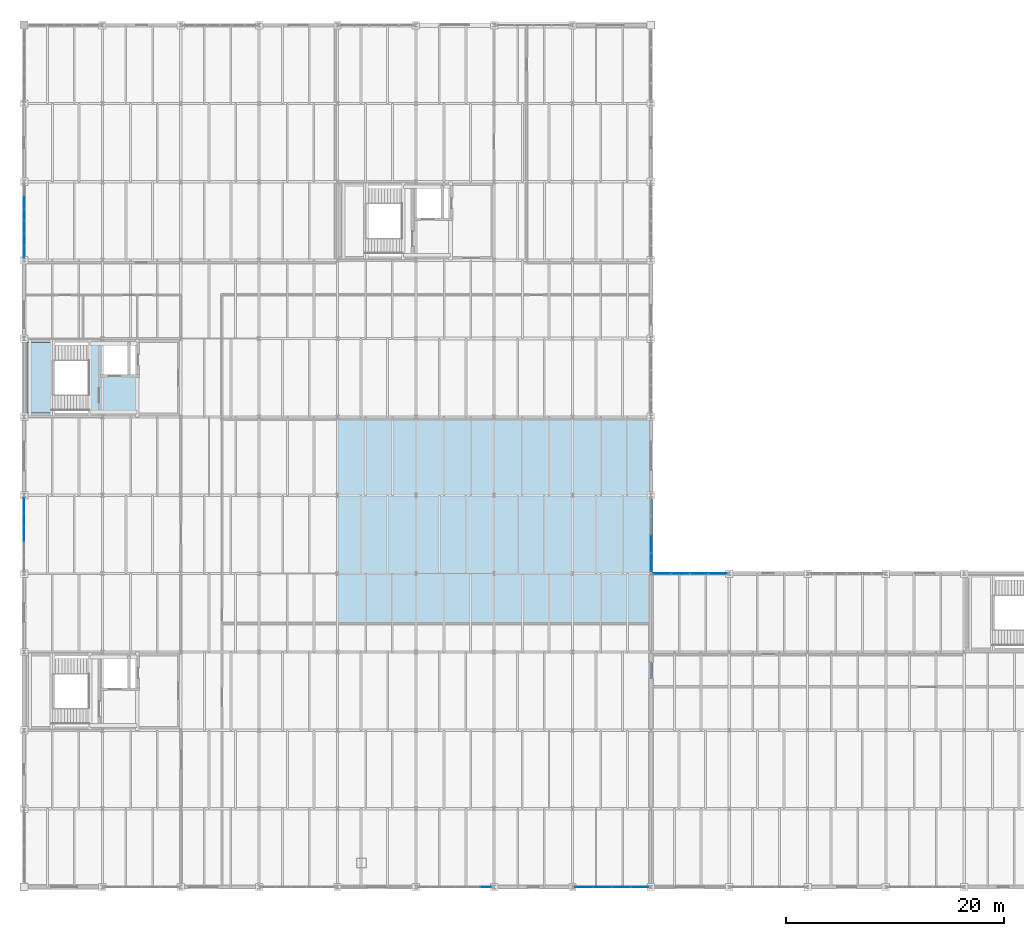
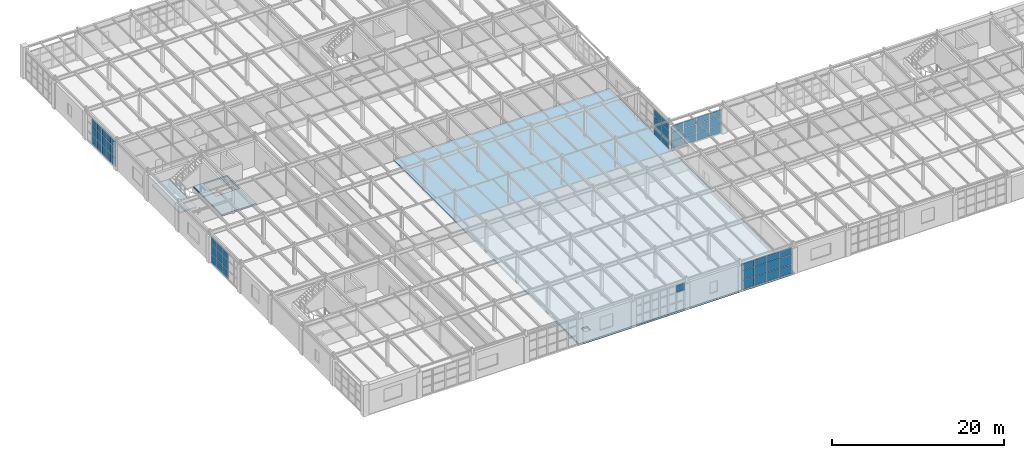
# One storey, part 109 of 137: 55 plates, 3 slabs, 7 elements without a shape of their own.
"""IFC4 building model written with IfcOpenShell, lengths in metres."""

from ifc_helpers import new_model, si_unit, direction, frame, origin, origin_2d, place, context, subcontext, project, spatial, polyline, rectangle, outline, extrude, material, layer, layer_set, type_object, element, aggregate, save


model = new_model("IFC4")

# Units and contexts
model_context = context("Model", 3, precision=1e-05, world=origin(), true_north=direction((0.0, 1.0)))
body_context = subcontext(model_context, "Body", "Model", "MODEL_VIEW")
ifc_project = project(units=[si_unit("LENGTHUNIT", "METRE"), si_unit("AREAUNIT", "SQUARE_METRE"), si_unit("VOLUMEUNIT", "CUBIC_METRE"), si_unit("PLANEANGLEUNIT", "RADIAN"), si_unit("MASSUNIT", "GRAM", prefix="KILO")], contexts=[model_context])

# Site, building, storey
site_placement = place(None, origin())
site = spatial("IfcSite", under=ifc_project, at=site_placement, CompositionType="ELEMENT")
building_placement = place(site_placement, origin())
building = spatial("IfcBuilding", under=site, at=building_placement, Name="Kemerveld Promenade Tramway Depot", CompositionType="ELEMENT")
storey_placement = place(building_placement, frame((0.0, 0.0, 5.39990234375)))
storey = spatial("IfcBuildingStorey", under=building, at=storey_placement, Name="L01", CompositionType="ELEMENT", Elevation=5.39990234375)

# Curtain wall, plates
ifc_material_1 = material(Name="Bronze anodised aluminium and solar glass", Category="aluminium")
ifc_layer_1 = layer(ifc_material_1, 0.199951171875)
ifc_layer_set_1 = layer_set([ifc_layer_1], Name="CW-SYS-10")
curtain_wall_type_1 = type_object("IfcCurtainWallType", Name="CW-SYS-10", PredefinedType="USERDEFINED", material=ifc_layer_set_1)
curtain_wall_1_placement = place(storey_placement, origin())
curtain_wall_1 = element("IfcCurtainWall", 1, at=curtain_wall_1_placement, inside=storey, type_object=curtain_wall_type_1, Name="CW-L01-V5E-07", ObjectType="GLAZED_CURTAIN_WALL", PredefinedType="USERDEFINED")
ifc_material_2 = material(Name="Solar-control laminated double glazing", Category="glass")
ifc_layer_2 = layer(ifc_material_2, 0.028076171875)
ifc_layer_set_2 = layer_set([ifc_layer_2], Name="CW-PNL-02")
plate_type_1 = type_object("IfcPlateType", Name="CW-PNL-02", PredefinedType="CURTAIN_PANEL", material=ifc_layer_set_2)
plate_1_placement = place(storey_placement, frame((57.60009765625, 31.525146484375, 0.06494140625), z_axis=(0.0, 0.0, 1.0), x_axis=(0.0, -1.0, 0.0)))
plate_1 = element("IfcPlate", 2, at=plate_1_placement, type_object=plate_type_1, Name="CW10 panel 3.1", PredefinedType="CURTAIN_PANEL", context=body_context, shape_type="SweptSolid", body=[
    extrude(rectangle(XDim=1.6416015625, YDim=0.028076171875, at=origin_2d()), origin(), (0.0, 0.0, 1.0), 1.198486328125),
])
plate_2_placement = place(storey_placement, frame((57.60009765625, 31.525146484375, 1.32861328125), z_axis=(0.0, 0.0, 1.0), x_axis=(0.0, -1.0, 0.0)))
plate_2 = element("IfcPlate", 3, at=plate_2_placement, type_object=plate_type_1, Name="CW10 panel 3.2", PredefinedType="CURTAIN_PANEL", context=body_context, shape_type="SweptSolid", body=[
    extrude(rectangle(XDim=1.6416015625, YDim=0.028076171875, at=origin_2d()), origin(), (0.0, 0.0, 1.0), 1.304931640625),
])
plate_3_placement = place(storey_placement, frame((57.60009765625, 31.525146484375, 2.698486328125), z_axis=(0.0, 0.0, 1.0), x_axis=(0.0, -1.0, 0.0)))
plate_3 = element("IfcPlate", 4, at=plate_3_placement, type_object=plate_type_1, Name="CW10 panel 3.3", PredefinedType="CURTAIN_PANEL", context=body_context, shape_type="SweptSolid", body=[
    extrude(rectangle(XDim=1.6416015625, YDim=0.028076171875, at=origin_2d()), origin(), (0.0, 0.0, 1.0), 0.93994140625),
])
plate_4_placement = place(storey_placement, frame((57.60009765625, 29.8271484375, 0.06494140625), z_axis=(0.0, 0.0, 1.0), x_axis=(0.0, -1.0, 0.0)))
plate_4 = element("IfcPlate", 5, at=plate_4_placement, type_object=plate_type_1, Name="CW10 panel 4.1", PredefinedType="CURTAIN_PANEL", context=body_context, shape_type="SweptSolid", body=[
    extrude(rectangle(XDim=1.60400390625, YDim=0.028076171875, at=origin_2d()), origin(), (0.0, 0.0, 1.0), 1.198486328125),
])
plate_5_placement = place(storey_placement, frame((57.60009765625, 29.8271484375, 1.32861328125), z_axis=(0.0, 0.0, 1.0), x_axis=(0.0, -1.0, 0.0)))
plate_5 = element("IfcPlate", 6, at=plate_5_placement, type_object=plate_type_1, Name="CW10 panel 4.2", PredefinedType="CURTAIN_PANEL", context=body_context, shape_type="SweptSolid", body=[
    extrude(rectangle(XDim=1.60400390625, YDim=0.028076171875, at=origin_2d()), origin(), (0.0, 0.0, 1.0), 1.304931640625),
])
plate_6_placement = place(storey_placement, frame((57.60009765625, 29.8271484375, 2.698486328125), z_axis=(0.0, 0.0, 1.0), x_axis=(0.0, -1.0, 0.0)))
plate_6 = element("IfcPlate", 7, at=plate_6_placement, type_object=plate_type_1, Name="CW10 panel 4.3", PredefinedType="CURTAIN_PANEL", context=body_context, shape_type="SweptSolid", body=[
    extrude(rectangle(XDim=1.60400390625, YDim=0.028076171875, at=origin_2d()), origin(), (0.0, 0.0, 1.0), 0.93994140625),
])
aggregate(curtain_wall_1, [plate_1, plate_2, plate_3, plate_4, plate_5, plate_6])

ifc_layer_3 = layer(ifc_material_1, 0.199951171875)
ifc_layer_set_3 = layer_set([ifc_layer_3], Name="CW-SYS-12")
curtain_wall_type_2 = type_object("IfcCurtainWallType", Name="CW-SYS-12", PredefinedType="USERDEFINED", material=ifc_layer_set_3)
curtain_wall_2_placement = place(storey_placement, origin())
curtain_wall_2 = element("IfcCurtainWall", 8, at=curtain_wall_2_placement, inside=storey, type_object=curtain_wall_type_2, Name="CW-L01-V5W-09", ObjectType="GLAZED_CURTAIN_WALL", PredefinedType="USERDEFINED")
ifc_layer_4 = layer(ifc_material_2, 0.031982421875)
ifc_layer_set_4 = layer_set([ifc_layer_4], Name="CW-PNL-04")
plate_type_2 = type_object("IfcPlateType", Name="CW-PNL-04", PredefinedType="CURTAIN_PANEL", material=ifc_layer_set_4)
plate_7_placement = place(storey_placement, frame((0.0, 58.37158203125, 0.06494140625), z_axis=(0.0, 0.0, 1.0), x_axis=(0.0, 1.0, 0.0)))
plate_7 = element("IfcPlate", 9, at=plate_7_placement, type_object=plate_type_2, Name="CW12 panel 1.1", PredefinedType="CURTAIN_PANEL", context=body_context, shape_type="SweptSolid", body=[
    extrude(rectangle(XDim=1.0263671875, YDim=0.031982421875, at=origin_2d()), origin(), (0.0, 0.0, 1.0), 1.198486328125),
])
plate_8_placement = place(storey_placement, frame((0.0, 58.37158203125, 1.32861328125), z_axis=(0.0, 0.0, 1.0), x_axis=(0.0, 1.0, 0.0)))
plate_8 = element("IfcPlate", 10, at=plate_8_placement, type_object=plate_type_2, Name="CW12 panel 1.2", PredefinedType="CURTAIN_PANEL", context=body_context, shape_type="SweptSolid", body=[
    extrude(rectangle(XDim=1.0263671875, YDim=0.031982421875, at=origin_2d()), origin(), (0.0, 0.0, 1.0), 1.304931640625),
])
plate_9_placement = place(storey_placement, frame((0.0, 58.37158203125, 2.698486328125), z_axis=(0.0, 0.0, 1.0), x_axis=(0.0, 1.0, 0.0)))
plate_9 = element("IfcPlate", 11, at=plate_9_placement, type_object=plate_type_2, Name="CW12 panel 1.3", PredefinedType="CURTAIN_PANEL", context=body_context, shape_type="SweptSolid", body=[
    extrude(rectangle(XDim=1.0263671875, YDim=0.031982421875, at=origin_2d()), origin(), (0.0, 0.0, 1.0), 0.93994140625),
])
plate_10_placement = place(storey_placement, frame((0.0, 59.49169921875, 0.06494140625), z_axis=(0.0, 0.0, 1.0), x_axis=(0.0, 1.0, 0.0)))
plate_10 = element("IfcPlate", 12, at=plate_10_placement, type_object=plate_type_2, Name="CW12 panel 2.1", PredefinedType="CURTAIN_PANEL", context=body_context, shape_type="SweptSolid", body=[
    extrude(rectangle(XDim=1.063720703125, YDim=0.031982421875, at=origin_2d()), origin(), (0.0, 0.0, 1.0), 1.198486328125),
])
plate_11_placement = place(storey_placement, frame((0.0, 59.49169921875, 1.32861328125), z_axis=(0.0, 0.0, 1.0), x_axis=(0.0, 1.0, 0.0)))
plate_11 = element("IfcPlate", 13, at=plate_11_placement, type_object=plate_type_2, Name="CW12 panel 2.2", PredefinedType="CURTAIN_PANEL", context=body_context, shape_type="SweptSolid", body=[
    extrude(rectangle(XDim=1.063720703125, YDim=0.031982421875, at=origin_2d()), origin(), (0.0, 0.0, 1.0), 1.304931640625),
])
plate_12_placement = place(storey_placement, frame((0.0, 59.49169921875, 2.698486328125), z_axis=(0.0, 0.0, 1.0), x_axis=(0.0, 1.0, 0.0)))
plate_12 = element("IfcPlate", 14, at=plate_12_placement, type_object=plate_type_2, Name="CW12 panel 2.3", PredefinedType="CURTAIN_PANEL", context=body_context, shape_type="SweptSolid", body=[
    extrude(rectangle(XDim=1.063720703125, YDim=0.031982421875, at=origin_2d()), origin(), (0.0, 0.0, 1.0), 0.93994140625),
])
plate_13_placement = place(storey_placement, frame((0.0, 60.630615234375, 0.06494140625), z_axis=(0.0, 0.0, 1.0), x_axis=(0.0, 1.0, 0.0)))
plate_13 = element("IfcPlate", 15, at=plate_13_placement, type_object=plate_type_2, Name="CW12 panel 3.1", PredefinedType="CURTAIN_PANEL", context=body_context, shape_type="SweptSolid", body=[
    extrude(rectangle(XDim=1.063720703125, YDim=0.031982421875, at=origin_2d()), origin(), (0.0, 0.0, 1.0), 1.198486328125),
])
plate_14_placement = place(storey_placement, frame((0.0, 60.630615234375, 1.32861328125), z_axis=(0.0, 0.0, 1.0), x_axis=(0.0, 1.0, 0.0)))
plate_14 = element("IfcPlate", 16, at=plate_14_placement, type_object=plate_type_2, Name="CW12 panel 3.2", PredefinedType="CURTAIN_PANEL", context=body_context, shape_type="SweptSolid", body=[
    extrude(rectangle(XDim=1.063720703125, YDim=0.031982421875, at=origin_2d()), origin(), (0.0, 0.0, 1.0), 1.304931640625),
])
plate_15_placement = place(storey_placement, frame((0.0, 60.630615234375, 2.698486328125), z_axis=(0.0, 0.0, 1.0), x_axis=(0.0, 1.0, 0.0)))
plate_15 = element("IfcPlate", 17, at=plate_15_placement, type_object=plate_type_2, Name="CW12 panel 3.3", PredefinedType="CURTAIN_PANEL", context=body_context, shape_type="SweptSolid", body=[
    extrude(rectangle(XDim=1.063720703125, YDim=0.031982421875, at=origin_2d()), origin(), (0.0, 0.0, 1.0), 0.93994140625),
])
plate_16_placement = place(storey_placement, frame((0.0, 61.76953125, 0.06494140625), z_axis=(0.0, 0.0, 1.0), x_axis=(0.0, 1.0, 0.0)))
plate_16 = element("IfcPlate", 18, at=plate_16_placement, type_object=plate_type_2, Name="CW12 panel 4.1", PredefinedType="CURTAIN_PANEL", context=body_context, shape_type="SweptSolid", body=[
    extrude(rectangle(XDim=1.063720703125, YDim=0.031982421875, at=origin_2d()), origin(), (0.0, 0.0, 1.0), 1.198486328125),
])
plate_17_placement = place(storey_placement, frame((0.0, 61.76953125, 1.32861328125), z_axis=(0.0, 0.0, 1.0), x_axis=(0.0, 1.0, 0.0)))
plate_17 = element("IfcPlate", 19, at=plate_17_placement, type_object=plate_type_2, Name="CW12 panel 4.2", PredefinedType="CURTAIN_PANEL", context=body_context, shape_type="SweptSolid", body=[
    extrude(rectangle(XDim=1.063720703125, YDim=0.031982421875, at=origin_2d()), origin(), (0.0, 0.0, 1.0), 1.304931640625),
])
plate_18_placement = place(storey_placement, frame((0.0, 61.76953125, 2.698486328125), z_axis=(0.0, 0.0, 1.0), x_axis=(0.0, 1.0, 0.0)))
plate_18 = element("IfcPlate", 20, at=plate_18_placement, type_object=plate_type_2, Name="CW12 panel 4.3", PredefinedType="CURTAIN_PANEL", context=body_context, shape_type="SweptSolid", body=[
    extrude(rectangle(XDim=1.063720703125, YDim=0.031982421875, at=origin_2d()), origin(), (0.0, 0.0, 1.0), 0.93994140625),
])
plate_19_placement = place(storey_placement, frame((0.0, 62.908203125, 0.06494140625), z_axis=(0.0, 0.0, 1.0), x_axis=(0.0, 1.0, 0.0)))
plate_19 = element("IfcPlate", 21, at=plate_19_placement, type_object=plate_type_2, Name="CW12 panel 5.1", PredefinedType="CURTAIN_PANEL", context=body_context, shape_type="SweptSolid", body=[
    extrude(rectangle(XDim=1.063720703125, YDim=0.031982421875, at=origin_2d()), origin(), (0.0, 0.0, 1.0), 1.198486328125),
])
plate_20_placement = place(storey_placement, frame((0.0, 62.908203125, 1.32861328125), z_axis=(0.0, 0.0, 1.0), x_axis=(0.0, 1.0, 0.0)))
plate_20 = element("IfcPlate", 22, at=plate_20_placement, type_object=plate_type_2, Name="CW12 panel 5.2", PredefinedType="CURTAIN_PANEL", context=body_context, shape_type="SweptSolid", body=[
    extrude(rectangle(XDim=1.063720703125, YDim=0.031982421875, at=origin_2d()), origin(), (0.0, 0.0, 1.0), 1.304931640625),
])
plate_21_placement = place(storey_placement, frame((0.0, 62.908203125, 2.698486328125), z_axis=(0.0, 0.0, 1.0), x_axis=(0.0, 1.0, 0.0)))
plate_21 = element("IfcPlate", 23, at=plate_21_placement, type_object=plate_type_2, Name="CW12 panel 5.3", PredefinedType="CURTAIN_PANEL", context=body_context, shape_type="SweptSolid", body=[
    extrude(rectangle(XDim=1.063720703125, YDim=0.031982421875, at=origin_2d()), origin(), (0.0, 0.0, 1.0), 0.93994140625),
])
aggregate(curtain_wall_2, [plate_7, plate_8, plate_9, plate_10, plate_11, plate_12, plate_13, plate_14, plate_15, plate_16, plate_17, plate_18, plate_19, plate_20, plate_21])

ifc_layer_5 = layer(ifc_material_1, 0.199951171875)
ifc_layer_set_5 = layer_set([ifc_layer_5], Name="CW-SYS-04")
curtain_wall_type_3 = type_object("IfcCurtainWallType", Name="CW-SYS-04", PredefinedType="USERDEFINED", material=ifc_layer_set_5)
curtain_wall_3_placement = place(storey_placement, origin())
curtain_wall_3 = element("IfcCurtainWall", 24, at=curtain_wall_3_placement, inside=storey, type_object=curtain_wall_type_3, Name="CW-L01-V5S-01", ObjectType="GLAZED_CURTAIN_WALL", PredefinedType="USERDEFINED")
plate_22_placement = place(storey_placement, frame((56.57275390625, 0.0, 0.06494140625), z_axis=(0.0, 0.0, 1.0), x_axis=(-1.0, 0.0, 0.0)))
plate_22 = element("IfcPlate", 25, at=plate_22_placement, type_object=plate_type_2, Name="CW04 panel 1.1", PredefinedType="CURTAIN_PANEL", context=body_context, shape_type="SweptSolid", body=[
    extrude(rectangle(XDim=1.60400390625, YDim=0.031982421875, at=origin_2d()), origin(), (0.0, 0.0, 1.0), 1.215576171875),
])
plate_23_placement = place(storey_placement, frame((56.57275390625, 0.0, 1.345703125), z_axis=(0.0, 0.0, 1.0), x_axis=(-1.0, 0.0, 0.0)))
plate_23 = element("IfcPlate", 26, at=plate_23_placement, type_object=plate_type_2, Name="CW04 panel 1.2", PredefinedType="CURTAIN_PANEL", context=body_context, shape_type="SweptSolid", body=[
    extrude(rectangle(XDim=1.60400390625, YDim=0.031982421875, at=origin_2d()), origin(), (0.0, 0.0, 1.0), 1.322021484375),
])
plate_24_placement = place(storey_placement, frame((56.57275390625, 0.0, 2.732421875), z_axis=(0.0, 0.0, 1.0), x_axis=(-1.0, 0.0, 0.0)))
plate_24 = element("IfcPlate", 27, at=plate_24_placement, type_object=plate_type_2, Name="CW04 panel 1.3", PredefinedType="CURTAIN_PANEL", context=body_context, shape_type="SweptSolid", body=[
    extrude(rectangle(XDim=1.60400390625, YDim=0.031982421875, at=origin_2d()), origin(), (0.0, 0.0, 1.0), 0.952392578125),
])
plate_25_placement = place(storey_placement, frame((54.875, 0.0, 0.06494140625), z_axis=(0.0, 0.0, 1.0), x_axis=(-1.0, 0.0, 0.0)))
plate_25 = element("IfcPlate", 28, at=plate_25_placement, type_object=plate_type_2, Name="CW04 panel 2.1", PredefinedType="CURTAIN_PANEL", context=body_context, shape_type="SweptSolid", body=[
    extrude(rectangle(XDim=1.6416015625, YDim=0.031982421875, at=origin_2d()), origin(), (0.0, 0.0, 1.0), 1.215576171875),
])
plate_26_placement = place(storey_placement, frame((54.875, 0.0, 1.345703125), z_axis=(0.0, 0.0, 1.0), x_axis=(-1.0, 0.0, 0.0)))
plate_26 = element("IfcPlate", 29, at=plate_26_placement, type_object=plate_type_2, Name="CW04 panel 2.2", PredefinedType="CURTAIN_PANEL", context=body_context, shape_type="SweptSolid", body=[
    extrude(rectangle(XDim=1.6416015625, YDim=0.031982421875, at=origin_2d()), origin(), (0.0, 0.0, 1.0), 1.322021484375),
])
plate_27_placement = place(storey_placement, frame((54.875, 0.0, 2.732421875), z_axis=(0.0, 0.0, 1.0), x_axis=(-1.0, 0.0, 0.0)))
plate_27 = element("IfcPlate", 30, at=plate_27_placement, type_object=plate_type_2, Name="CW04 panel 2.3", PredefinedType="CURTAIN_PANEL", context=body_context, shape_type="SweptSolid", body=[
    extrude(rectangle(XDim=1.6416015625, YDim=0.031982421875, at=origin_2d()), origin(), (0.0, 0.0, 1.0), 0.952392578125),
])
plate_28_placement = place(storey_placement, frame((53.158447265625, 0.0, 0.06494140625), z_axis=(0.0, 0.0, 1.0), x_axis=(-1.0, 0.0, 0.0)))
plate_28 = element("IfcPlate", 31, at=plate_28_placement, type_object=plate_type_2, Name="CW04 panel 3.1", PredefinedType="CURTAIN_PANEL", context=body_context, shape_type="SweptSolid", body=[
    extrude(rectangle(XDim=1.6416015625, YDim=0.031982421875, at=origin_2d()), origin(), (0.0, 0.0, 1.0), 1.215576171875),
])
plate_29_placement = place(storey_placement, frame((53.158447265625, 0.0, 1.345703125), z_axis=(0.0, 0.0, 1.0), x_axis=(-1.0, 0.0, 0.0)))
plate_29 = element("IfcPlate", 32, at=plate_29_placement, type_object=plate_type_2, Name="CW04 panel 3.2", PredefinedType="CURTAIN_PANEL", context=body_context, shape_type="SweptSolid", body=[
    extrude(rectangle(XDim=1.6416015625, YDim=0.031982421875, at=origin_2d()), origin(), (0.0, 0.0, 1.0), 1.322021484375),
])
plate_30_placement = place(storey_placement, frame((53.158447265625, 0.0, 2.732421875), z_axis=(0.0, 0.0, 1.0), x_axis=(-1.0, 0.0, 0.0)))
plate_30 = element("IfcPlate", 33, at=plate_30_placement, type_object=plate_type_2, Name="CW04 panel 3.3", PredefinedType="CURTAIN_PANEL", context=body_context, shape_type="SweptSolid", body=[
    extrude(rectangle(XDim=1.6416015625, YDim=0.031982421875, at=origin_2d()), origin(), (0.0, 0.0, 1.0), 0.952392578125),
])
plate_31_placement = place(storey_placement, frame((51.46044921875, 0.0, 0.06494140625), z_axis=(0.0, 0.0, 1.0), x_axis=(-1.0, 0.0, 0.0)))
plate_31 = element("IfcPlate", 34, at=plate_31_placement, type_object=plate_type_2, Name="CW04 panel 4.1", PredefinedType="CURTAIN_PANEL", context=body_context, shape_type="SweptSolid", body=[
    extrude(rectangle(XDim=1.60400390625, YDim=0.031982421875, at=origin_2d()), origin(), (0.0, 0.0, 1.0), 1.215576171875),
])
plate_32_placement = place(storey_placement, frame((51.46044921875, 0.0, 1.345703125), z_axis=(0.0, 0.0, 1.0), x_axis=(-1.0, 0.0, 0.0)))
plate_32 = element("IfcPlate", 35, at=plate_32_placement, type_object=plate_type_2, Name="CW04 panel 4.2", PredefinedType="CURTAIN_PANEL", context=body_context, shape_type="SweptSolid", body=[
    extrude(rectangle(XDim=1.60400390625, YDim=0.031982421875, at=origin_2d()), origin(), (0.0, 0.0, 1.0), 1.322021484375),
])
plate_33_placement = place(storey_placement, frame((51.46044921875, 0.0, 2.732421875), z_axis=(0.0, 0.0, 1.0), x_axis=(-1.0, 0.0, 0.0)))
plate_33 = element("IfcPlate", 36, at=plate_33_placement, type_object=plate_type_2, Name="CW04 panel 4.3", PredefinedType="CURTAIN_PANEL", context=body_context, shape_type="SweptSolid", body=[
    extrude(rectangle(XDim=1.60400390625, YDim=0.031982421875, at=origin_2d()), origin(), (0.0, 0.0, 1.0), 0.952392578125),
])
aggregate(curtain_wall_3, [plate_22, plate_23, plate_24, plate_25, plate_26, plate_27, plate_28, plate_29, plate_30, plate_31, plate_32, plate_33])

curtain_wall_4_placement = place(storey_placement, origin())
curtain_wall_4 = element("IfcCurtainWall", 37, at=curtain_wall_4_placement, inside=storey, type_object=curtain_wall_type_3, Name="CW-L01-V4N-01", ObjectType="GLAZED_CURTAIN_WALL", PredefinedType="USERDEFINED")
plate_34_placement = place(storey_placement, frame((58.63134765625, 28.800048828125, 0.065185546875), z_axis=(0.0, 0.0, 1.0), x_axis=(1.0, 0.0, 0.0)))
plate_34 = element("IfcPlate", 38, at=plate_34_placement, type_object=plate_type_2, Name="CW04 panel 1.1", PredefinedType="CURTAIN_PANEL", context=body_context, shape_type="SweptSolid", body=[
    extrude(rectangle(XDim=1.612548828125, YDim=0.031982421875, at=origin_2d()), origin(), (0.0, 0.0, 1.0), 1.08544921875),
])
plate_35_placement = place(storey_placement, frame((58.63134765625, 28.800048828125, 1.215576171875), z_axis=(0.0, 0.0, 1.0), x_axis=(1.0, 0.0, 0.0)))
plate_35 = element("IfcPlate", 39, at=plate_35_placement, type_object=plate_type_2, Name="CW04 panel 1.2", PredefinedType="CURTAIN_PANEL", context=body_context, shape_type="SweptSolid", body=[
    extrude(rectangle(XDim=1.612548828125, YDim=0.031982421875, at=origin_2d()), origin(), (0.0, 0.0, 1.0), 1.18505859375),
])
plate_36_placement = place(storey_placement, frame((58.63134765625, 28.800048828125, 2.465576171875), z_axis=(0.0, 0.0, 1.0), x_axis=(1.0, 0.0, 0.0)))
plate_36 = element("IfcPlate", 40, at=plate_36_placement, type_object=plate_type_2, Name="CW04 panel 1.3", PredefinedType="CURTAIN_PANEL", context=body_context, shape_type="SweptSolid", body=[
    extrude(rectangle(XDim=1.612548828125, YDim=0.031982421875, at=origin_2d()), origin(), (0.0, 0.0, 1.0), 0.8486328125),
])
plate_37_placement = place(storey_placement, frame((60.337646484375, 28.800048828125, 0.065185546875), z_axis=(0.0, 0.0, 1.0), x_axis=(1.0, 0.0, 0.0)))
plate_37 = element("IfcPlate", 41, at=plate_37_placement, type_object=plate_type_2, Name="CW04 panel 2.1", PredefinedType="CURTAIN_PANEL", context=body_context, shape_type="SweptSolid", body=[
    extrude(rectangle(XDim=1.64990234375, YDim=0.031982421875, at=origin_2d()), origin(), (0.0, 0.0, 1.0), 1.08544921875),
])
plate_38_placement = place(storey_placement, frame((60.337646484375, 28.800048828125, 1.215576171875), z_axis=(0.0, 0.0, 1.0), x_axis=(1.0, 0.0, 0.0)))
plate_38 = element("IfcPlate", 42, at=plate_38_placement, type_object=plate_type_2, Name="CW04 panel 2.2", PredefinedType="CURTAIN_PANEL", context=body_context, shape_type="SweptSolid", body=[
    extrude(rectangle(XDim=1.64990234375, YDim=0.031982421875, at=origin_2d()), origin(), (0.0, 0.0, 1.0), 1.18505859375),
])
plate_39_placement = place(storey_placement, frame((60.337646484375, 28.800048828125, 2.465576171875), z_axis=(0.0, 0.0, 1.0), x_axis=(1.0, 0.0, 0.0)))
plate_39 = element("IfcPlate", 43, at=plate_39_placement, type_object=plate_type_2, Name="CW04 panel 2.3", PredefinedType="CURTAIN_PANEL", context=body_context, shape_type="SweptSolid", body=[
    extrude(rectangle(XDim=1.64990234375, YDim=0.031982421875, at=origin_2d()), origin(), (0.0, 0.0, 1.0), 0.8486328125),
])
plate_40_placement = place(storey_placement, frame((62.0625, 28.800048828125, 0.065185546875), z_axis=(0.0, 0.0, 1.0), x_axis=(1.0, 0.0, 0.0)))
plate_40 = element("IfcPlate", 44, at=plate_40_placement, type_object=plate_type_2, Name="CW04 panel 3.1", PredefinedType="CURTAIN_PANEL", context=body_context, shape_type="SweptSolid", body=[
    extrude(rectangle(XDim=1.64990234375, YDim=0.031982421875, at=origin_2d()), origin(), (0.0, 0.0, 1.0), 1.08544921875),
])
plate_41_placement = place(storey_placement, frame((62.0625, 28.800048828125, 1.215576171875), z_axis=(0.0, 0.0, 1.0), x_axis=(1.0, 0.0, 0.0)))
plate_41 = element("IfcPlate", 45, at=plate_41_placement, type_object=plate_type_2, Name="CW04 panel 3.2", PredefinedType="CURTAIN_PANEL", context=body_context, shape_type="SweptSolid", body=[
    extrude(rectangle(XDim=1.64990234375, YDim=0.031982421875, at=origin_2d()), origin(), (0.0, 0.0, 1.0), 1.18505859375),
])
plate_42_placement = place(storey_placement, frame((62.0625, 28.800048828125, 2.465576171875), z_axis=(0.0, 0.0, 1.0), x_axis=(1.0, 0.0, 0.0)))
plate_42 = element("IfcPlate", 46, at=plate_42_placement, type_object=plate_type_2, Name="CW04 panel 3.3", PredefinedType="CURTAIN_PANEL", context=body_context, shape_type="SweptSolid", body=[
    extrude(rectangle(XDim=1.64990234375, YDim=0.031982421875, at=origin_2d()), origin(), (0.0, 0.0, 1.0), 0.8486328125),
])
plate_43_placement = place(storey_placement, frame((63.7685546875, 28.800048828125, 0.065185546875), z_axis=(0.0, 0.0, 1.0), x_axis=(1.0, 0.0, 0.0)))
plate_43 = element("IfcPlate", 47, at=plate_43_placement, type_object=plate_type_2, Name="CW04 panel 4.1", PredefinedType="CURTAIN_PANEL", context=body_context, shape_type="SweptSolid", body=[
    extrude(rectangle(XDim=1.612548828125, YDim=0.031982421875, at=origin_2d()), origin(), (0.0, 0.0, 1.0), 1.08544921875),
])
plate_44_placement = place(storey_placement, frame((63.7685546875, 28.800048828125, 1.215576171875), z_axis=(0.0, 0.0, 1.0), x_axis=(1.0, 0.0, 0.0)))
plate_44 = element("IfcPlate", 48, at=plate_44_placement, type_object=plate_type_2, Name="CW04 panel 4.2", PredefinedType="CURTAIN_PANEL", context=body_context, shape_type="SweptSolid", body=[
    extrude(rectangle(XDim=1.612548828125, YDim=0.031982421875, at=origin_2d()), origin(), (0.0, 0.0, 1.0), 1.18505859375),
])
plate_45_placement = place(storey_placement, frame((63.7685546875, 28.800048828125, 2.465576171875), z_axis=(0.0, 0.0, 1.0), x_axis=(1.0, 0.0, 0.0)))
plate_45 = element("IfcPlate", 49, at=plate_45_placement, type_object=plate_type_2, Name="CW04 panel 4.3", PredefinedType="CURTAIN_PANEL", context=body_context, shape_type="SweptSolid", body=[
    extrude(rectangle(XDim=1.612548828125, YDim=0.031982421875, at=origin_2d()), origin(), (0.0, 0.0, 1.0), 0.8486328125),
])
aggregate(curtain_wall_4, [plate_34, plate_35, plate_36, plate_37, plate_38, plate_39, plate_40, plate_41, plate_42, plate_43, plate_44, plate_45])

# Curtain wall, plate
ifc_layer_6 = layer(ifc_material_1, 0.199951171875)
ifc_layer_set_6 = layer_set([ifc_layer_6], Name="CW-SYS-06")
curtain_wall_type_4 = type_object("IfcCurtainWallType", Name="CW-SYS-06", PredefinedType="USERDEFINED", material=ifc_layer_set_6)
curtain_wall_5_placement = place(storey_placement, origin())
curtain_wall_5 = element("IfcCurtainWall", 50, at=curtain_wall_5_placement, inside=storey, type_object=curtain_wall_type_4, Name="CW-L01-V5S-03", ObjectType="GLAZED_CURTAIN_WALL", PredefinedType="USERDEFINED")
ifc_layer_7 = layer(ifc_material_2, 0.02587890625)
ifc_layer_set_7 = layer_set([ifc_layer_7], Name="CW-PNL-06")
plate_type_3 = type_object("IfcPlateType", Name="CW-PNL-06", PredefinedType="CURTAIN_PANEL", material=ifc_layer_set_7)
plate_46_placement = place(storey_placement, frame((42.42822265625, 0.0, 2.732421875), z_axis=(0.0, 0.0, 1.0), x_axis=(-1.0, 0.0, 0.0)))
plate_46 = element("IfcPlate", 51, at=plate_46_placement, type_object=plate_type_3, Name="CW06 panel 1.3", PredefinedType="CURTAIN_PANEL", context=body_context, shape_type="SweptSolid", body=[
    extrude(rectangle(XDim=1.0263671875, YDim=0.02587890625, at=origin_2d()), origin(), (0.0, 0.0, 1.0), 0.952392578125),
])
aggregate(curtain_wall_5, [plate_46])

# Curtain wall, plates
ifc_layer_8 = layer(ifc_material_1, 0.199951171875)
ifc_layer_set_8 = layer_set([ifc_layer_8], Name="CW-SYS-08")
curtain_wall_type_5 = type_object("IfcCurtainWallType", Name="CW-SYS-08", PredefinedType="USERDEFINED", material=ifc_layer_set_8)
curtain_wall_6_placement = place(storey_placement, origin())
curtain_wall_6 = element("IfcCurtainWall", 52, at=curtain_wall_6_placement, inside=storey, type_object=curtain_wall_type_5, Name="CW-L01-V5W-05", ObjectType="GLAZED_CURTAIN_WALL", PredefinedType="USERDEFINED")
ifc_layer_9 = layer(ifc_material_2, 0.028076171875)
ifc_layer_set_9 = layer_set([ifc_layer_9], Name="CW-PNL-08")
plate_type_4 = type_object("IfcPlateType", Name="CW-PNL-08", PredefinedType="CURTAIN_PANEL", material=ifc_layer_set_9)
plate_47_placement = place(storey_placement, frame((0.0, 32.400146484375, 0.06494140625), z_axis=(0.0, 0.0, 1.0), x_axis=(0.0, 1.0, 0.0)))
plate_47 = element("IfcPlate", 53, at=plate_47_placement, type_object=plate_type_4, Name="CW08 panel 3.1", PredefinedType="CURTAIN_PANEL", context=body_context, shape_type="SweptSolid", body=[
    extrude(rectangle(XDim=1.29150390625, YDim=0.028076171875, at=origin_2d()), origin(), (0.0, 0.0, 1.0), 1.198486328125),
])
plate_48_placement = place(storey_placement, frame((0.0, 32.400146484375, 1.32861328125), z_axis=(0.0, 0.0, 1.0), x_axis=(0.0, 1.0, 0.0)))
plate_48 = element("IfcPlate", 54, at=plate_48_placement, type_object=plate_type_4, Name="CW08 panel 3.2", PredefinedType="CURTAIN_PANEL", context=body_context, shape_type="SweptSolid", body=[
    extrude(rectangle(XDim=1.29150390625, YDim=0.028076171875, at=origin_2d()), origin(), (0.0, 0.0, 1.0), 1.304931640625),
])
plate_49_placement = place(storey_placement, frame((0.0, 32.400146484375, 2.698486328125), z_axis=(0.0, 0.0, 1.0), x_axis=(0.0, 1.0, 0.0)))
plate_49 = element("IfcPlate", 55, at=plate_49_placement, type_object=plate_type_4, Name="CW08 panel 3.3", PredefinedType="CURTAIN_PANEL", context=body_context, shape_type="SweptSolid", body=[
    extrude(rectangle(XDim=1.29150390625, YDim=0.028076171875, at=origin_2d()), origin(), (0.0, 0.0, 1.0), 0.93994140625),
])
plate_50_placement = place(storey_placement, frame((0.0, 33.7666015625, 0.06494140625), z_axis=(0.0, 0.0, 1.0), x_axis=(0.0, 1.0, 0.0)))
plate_50 = element("IfcPlate", 56, at=plate_50_placement, type_object=plate_type_4, Name="CW08 panel 4.1", PredefinedType="CURTAIN_PANEL", context=body_context, shape_type="SweptSolid", body=[
    extrude(rectangle(XDim=1.29150390625, YDim=0.028076171875, at=origin_2d()), origin(), (0.0, 0.0, 1.0), 1.198486328125),
])
plate_51_placement = place(storey_placement, frame((0.0, 33.7666015625, 1.32861328125), z_axis=(0.0, 0.0, 1.0), x_axis=(0.0, 1.0, 0.0)))
plate_51 = element("IfcPlate", 57, at=plate_51_placement, type_object=plate_type_4, Name="CW08 panel 4.2", PredefinedType="CURTAIN_PANEL", context=body_context, shape_type="SweptSolid", body=[
    extrude(rectangle(XDim=1.29150390625, YDim=0.028076171875, at=origin_2d()), origin(), (0.0, 0.0, 1.0), 1.304931640625),
])
plate_52_placement = place(storey_placement, frame((0.0, 33.7666015625, 2.698486328125), z_axis=(0.0, 0.0, 1.0), x_axis=(0.0, 1.0, 0.0)))
plate_52 = element("IfcPlate", 58, at=plate_52_placement, type_object=plate_type_4, Name="CW08 panel 4.3", PredefinedType="CURTAIN_PANEL", context=body_context, shape_type="SweptSolid", body=[
    extrude(rectangle(XDim=1.29150390625, YDim=0.028076171875, at=origin_2d()), origin(), (0.0, 0.0, 1.0), 0.93994140625),
])
plate_53_placement = place(storey_placement, frame((0.0, 35.114501953125, 0.06494140625), z_axis=(0.0, 0.0, 1.0), x_axis=(0.0, 1.0, 0.0)))
plate_53 = element("IfcPlate", 59, at=plate_53_placement, type_object=plate_type_4, Name="CW08 panel 5.1", PredefinedType="CURTAIN_PANEL", context=body_context, shape_type="SweptSolid", body=[
    extrude(rectangle(XDim=1.254150390625, YDim=0.028076171875, at=origin_2d()), origin(), (0.0, 0.0, 1.0), 1.198486328125),
])
plate_54_placement = place(storey_placement, frame((0.0, 35.114501953125, 1.32861328125), z_axis=(0.0, 0.0, 1.0), x_axis=(0.0, 1.0, 0.0)))
plate_54 = element("IfcPlate", 60, at=plate_54_placement, type_object=plate_type_4, Name="CW08 panel 5.2", PredefinedType="CURTAIN_PANEL", context=body_context, shape_type="SweptSolid", body=[
    extrude(rectangle(XDim=1.254150390625, YDim=0.028076171875, at=origin_2d()), origin(), (0.0, 0.0, 1.0), 1.304931640625),
])
plate_55_placement = place(storey_placement, frame((0.0, 35.114501953125, 2.698486328125), z_axis=(0.0, 0.0, 1.0), x_axis=(0.0, 1.0, 0.0)))
plate_55 = element("IfcPlate", 61, at=plate_55_placement, type_object=plate_type_4, Name="CW08 panel 5.3", PredefinedType="CURTAIN_PANEL", context=body_context, shape_type="SweptSolid", body=[
    extrude(rectangle(XDim=1.254150390625, YDim=0.028076171875, at=origin_2d()), origin(), (0.0, 0.0, 1.0), 0.93994140625),
])
aggregate(curtain_wall_6, [plate_47, plate_48, plate_49, plate_50, plate_51, plate_52, plate_53, plate_54, plate_55])

# Slabs
ifc_material_3 = material(Name="Concrete C40/50", Category="concrete")
ifc_layer_10 = layer(ifc_material_3, 0.219970703125)
ifc_layer_set_10 = layer_set([ifc_layer_10], Name="SL-CORE-220")
slab_type_1 = type_object("IfcSlabType", Name="SL-CORE-220", PredefinedType="FLOOR", material=ifc_layer_set_10)
slab_1_placement = place(storey_placement, frame((0.0, 0.0, -0.219970703125)))
element("IfcSlab", 62, at=slab_1_placement, inside=storey, type_object=slab_type_1, Name="SLB-CORE-C2-L01", PredefinedType="FLOOR", context=body_context, shape_type="SweptSolid", body=[
    extrude(outline(polyline([(5.919921875, 43.449951171875), (10.550048828125, 43.449951171875), (10.550048828125, 50.14990234375), (5.919921875, 50.14990234375), (5.919921875, 43.449951171875)]), holes=[polyline([(7.199951171875, 47.080078125), (9.550048828125, 47.080078125), (9.550048828125, 50.080078125), (7.199951171875, 50.080078125), (7.199951171875, 47.080078125)]), polyline([(9.75, 47.080078125), (10.3798828125, 47.080078125), (10.3798828125, 50.080078125), (9.75, 50.080078125), (9.75, 47.080078125)])]), origin(), (0.0, 0.0, 1.0), 0.219970703125),
])
ifc_material_4 = material(Name="Concrete C35/45", Category="concrete")
ifc_layer_11 = layer(ifc_material_4, 0.25)
ifc_layer_set_11 = layer_set([ifc_layer_11], Name="SL-FL02")
slab_type_2 = type_object("IfcSlabType", Name="SL-FL02", PredefinedType="FLOOR", material=ifc_layer_set_11)
slab_2_placement = place(storey_placement, frame((0.0, 0.0, -0.25)))
element("IfcSlab", 63, at=slab_2_placement, inside=storey, type_object=slab_type_2, Name="SLB-L01-V5B", PredefinedType="FLOOR", context=body_context, shape_type="SweptSolid", body=[
    extrude(outline(polyline([(28.800048828125, 0.0), (57.800048828125, 0.0), (57.800048828125, 43.199951171875), (28.800048828125, 43.199951171875), (28.800048828125, 0.0)]), holes=[polyline([(30.60009765625, 1.800048828125), (31.39990234375, 1.800048828125), (31.39990234375, 2.60009765625), (30.60009765625, 2.60009765625), (30.60009765625, 1.800048828125)])]), origin(), (0.0, 0.0, 1.0), 0.25),
])

# Stair, slab
stair_type = type_object("IfcStairType", Name="STR-HT-TYP", PredefinedType="HALF_TURN_STAIR", material=ifc_material_3)
stair_placement = place(storey_placement, origin())
stair = element("IfcStair", 64, at=stair_placement, inside=storey, type_object=stair_type, Name="ST-02-L01", PredefinedType="HALF_TURN_STAIR")
ifc_layer_12 = layer(ifc_material_3, 0.179931640625)
ifc_layer_set_12 = layer_set([ifc_layer_12], Name="SL-LND-180")
slab_type_3 = type_object("IfcSlabType", Name="SL-LND-180", PredefinedType="LANDING", material=ifc_layer_set_12)
slab_3_placement = place(storey_placement, frame((0.0, 0.0, 2.070068359375)))
slab_3 = element("IfcSlab", 65, at=slab_3_placement, type_object=slab_type_3, Name="ST-02-L01 landing 1", PredefinedType="LANDING", context=body_context, shape_type="SweptSolid", body=[
    extrude(outline(polyline([(0.280029296875, 43.56005859375), (2.580078125, 43.56005859375), (2.580078125, 50.0400390625), (0.280029296875, 50.0400390625), (0.280029296875, 43.56005859375)])), origin(), (0.0, 0.0, 1.0), 0.179931640625),
])
aggregate(stair, [slab_3])

save(model, "model.ifc")
